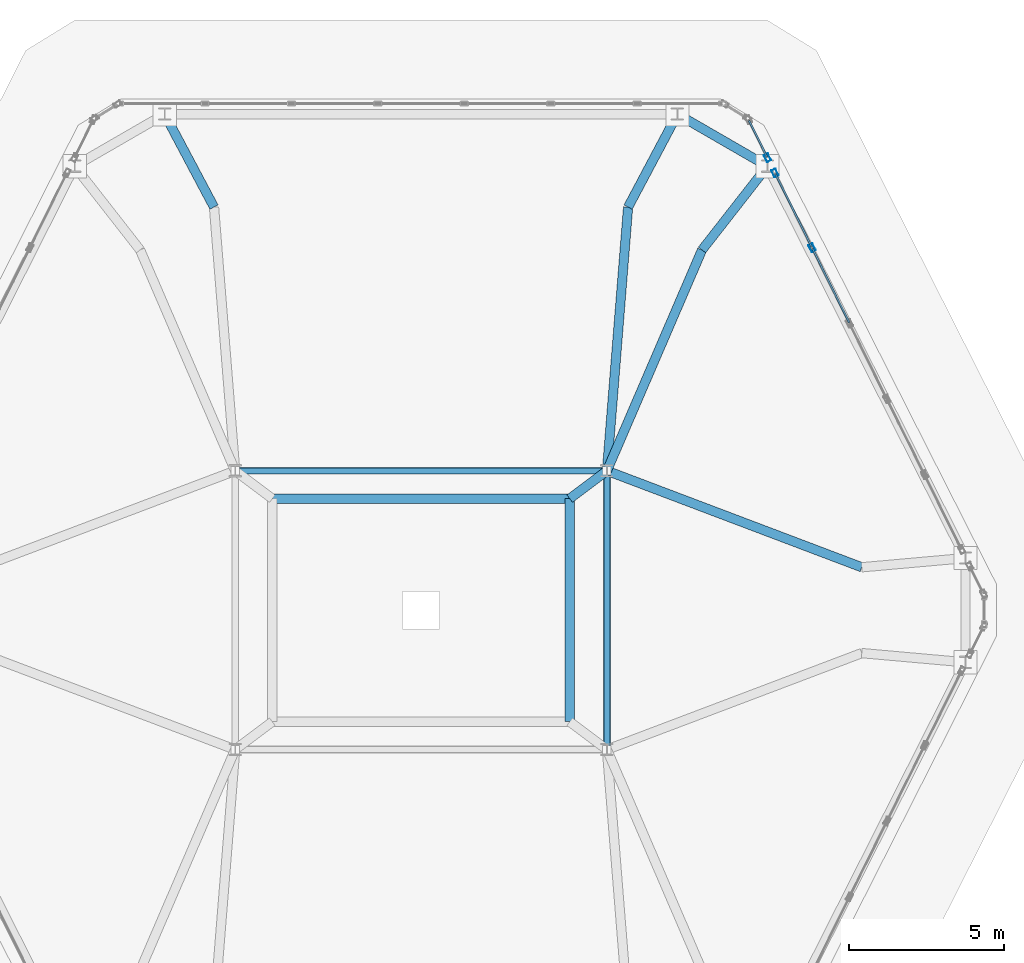
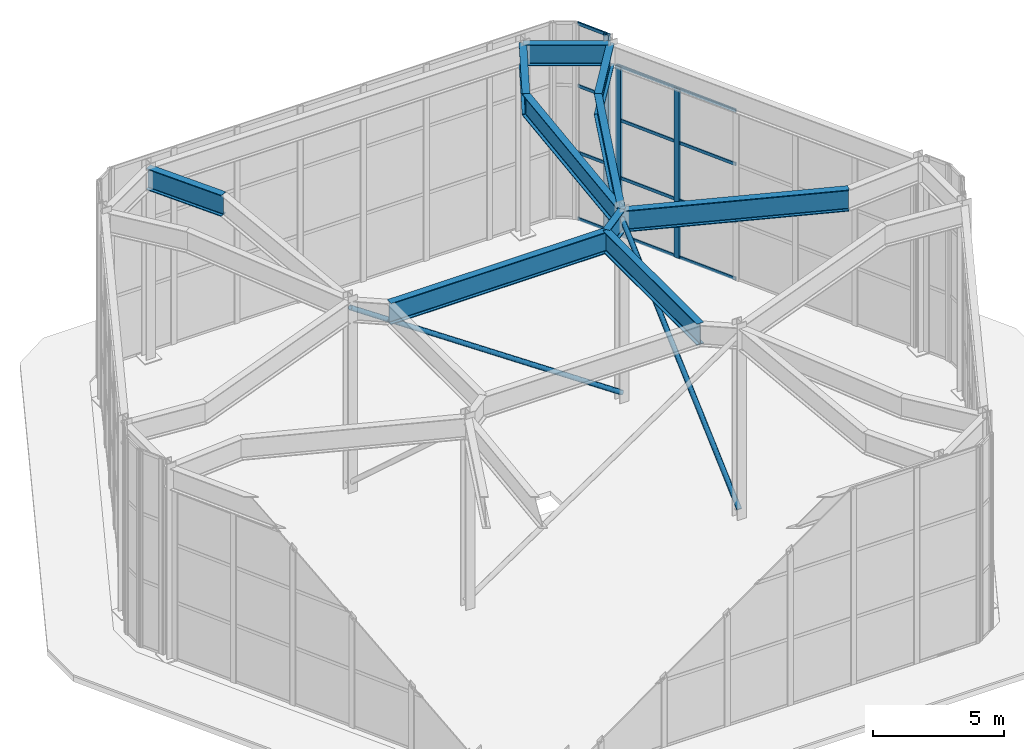
# One storey, part 6 of 12: 17 members, 10 beams, 2 elements without a shape of their own.
"""IFC4 building model written with IfcOpenShell, lengths in metres."""

import ifcopenshell
import ifcopenshell.guid

model = None  # the IFC model being written
_history = None  # IfcOwnerHistory: only IFC2X3 demands one
_inside = {}  # id of a spatial element -> (the spatial element, [elements in it])
_under = {}  # id of a project, library or spatial element -> (it, [spatial elements below it])
_declared = {}  # id of a project -> (the project, [libraries it declares])
_typed = {}  # id of a type object -> (the type object, [elements of that type])
_made_of = {}  # id of a material, layer set ... -> (it, [elements and type objects made of it])


def new_model(schema):
    """Start an empty IFC model of exactly this schema.

    Asked for "IFC4X3", IfcOpenShell would pick the latest addendum, in which some entities
    have other attributes; the version numbers below select the first issue.
    IFC2X3 requires an IfcOwnerHistory on every rooted entity: one is made here for all.
    """
    global model, _history
    if schema == "IFC4X3":
        model = ifcopenshell.file(schema_version=(4, 3, 0, 0))
    else:
        model = ifcopenshell.file(schema=schema)
    _inside.clear()
    _under.clear()
    _declared.clear()
    _typed.clear()
    _made_of.clear()
    _history = None
    if model.schema == "IFC2X3":
        org = make("IfcOrganization", Name="unknown")
        user = make(
            "IfcPersonAndOrganization",
            ThePerson=make("IfcPerson", FamilyName="unknown"),
            TheOrganization=org,
        )
        app = make(
            "IfcApplication",
            ApplicationDeveloper=org,
            Version="unknown",
            ApplicationFullName="unknown",
            ApplicationIdentifier="unknown",
        )
        _history = make(
            "IfcOwnerHistory",
            OwningUser=user,
            OwningApplication=app,
            ChangeAction="ADDED",
            CreationDate=0,
        )
    return model


def make(cls, **values):
    """One entity of the class cls with the attributes given. An attribute that is None is left unset."""
    return model.create_entity(
        cls, **{name: value for name, value in values.items() if value is not None}
    )


def rooted(cls, **values):
    """An entity with a GlobalId (a new one), such as an element, a storey or a relation."""
    return make(cls, GlobalId=ifcopenshell.guid.new(), OwnerHistory=_history, **values)


def si_unit(unit_type, name, prefix=None):
    """IfcSIUnit, for example si_unit("LENGTHUNIT", "METRE", prefix="MILLI")."""
    return make("IfcSIUnit", UnitType=unit_type, Prefix=prefix, Name=name)


def assignment(units):
    """IfcUnitAssignment: the units of a project."""
    return None if units is None else make("IfcUnitAssignment", Units=units)


def point(xyz):
    """IfcCartesianPoint."""
    return None if xyz is None else make("IfcCartesianPoint", Coordinates=xyz)


def direction(xyz):
    """IfcDirection."""
    return None if xyz is None else make("IfcDirection", DirectionRatios=xyz)


def frame(location, z_axis=None, x_axis=None):
    """IfcAxis2Placement3D, a coordinate frame: its origin and axes. An axis left out is left unset."""
    return make(
        "IfcAxis2Placement3D",
        Location=point(location),
        Axis=direction(z_axis),
        RefDirection=direction(x_axis),
    )


def frame_2d(location, x_axis=None):
    """IfcAxis2Placement2D, a coordinate frame in the plane: its origin and x axis."""
    return make(
        "IfcAxis2Placement2D", Location=point(location), RefDirection=direction(x_axis)
    )


def origin():
    """The frame at (0, 0, 0) with its axes left unset."""
    return frame((0.0, 0.0, 0.0))


def origin_2d():
    """The frame at (0, 0) in the plane with its x axis left unset."""
    return frame_2d((0.0, 0.0))


def place(relative_to, where):
    """IfcLocalPlacement: puts the frame where relative to a parent placement (None: the world)."""
    return make(
        "IfcLocalPlacement", PlacementRelTo=relative_to, RelativePlacement=where
    )


def context(
    kind, dimensions, precision=None, world=None, true_north=None, identifier=None
):
    """IfcGeometricRepresentationContext, for example the 3D "Model" context."""
    return make(
        "IfcGeometricRepresentationContext",
        ContextIdentifier=identifier,
        ContextType=kind,
        CoordinateSpaceDimension=dimensions,
        Precision=precision,
        WorldCoordinateSystem=world,
        TrueNorth=true_north,
    )


def subcontext(parent, identifier, kind, view, scale=None):
    """IfcGeometricRepresentationSubContext, for example "Body" below "Model"."""
    return make(
        "IfcGeometricRepresentationSubContext",
        ContextIdentifier=identifier,
        ContextType=kind,
        ParentContext=parent,
        TargetScale=scale,
        TargetView=view,
    )


def project(units=None, contexts=None):
    """IfcProject with its units and contexts."""
    return rooted(
        "IfcProject",
        Name="project",
        RepresentationContexts=contexts,
        UnitsInContext=assignment(units),
    )


def spatial(cls, under=None, at=None, **own):
    """A site, building, storey or space (cls), placed at a placement, below another one or the project."""
    s = rooted(cls, ObjectPlacement=at, **own)
    if under is not None:
        _under.setdefault(under.id(), (under, []))[1].append(s)
    return s


def profile(cls, at=None, kind="AREA", **sizes):
    """A parametric profile (cls). Its sizes go by their IFC names, for example OverallWidth=200.0."""
    return make(cls, ProfileType=kind, Position=at, **sizes)


def hollow_rectangle(**sizes):
    """IfcRectangleHollowProfileDef."""
    return profile("IfcRectangleHollowProfileDef", **sizes)


def hollow_circle(**sizes):
    """IfcCircleHollowProfileDef."""
    return profile("IfcCircleHollowProfileDef", **sizes)


def i_section(**sizes):
    """IfcIShapeProfileDef."""
    return profile("IfcIShapeProfileDef", **sizes)


def extrude(swept, where, along, depth):
    """IfcExtrudedAreaSolid: the profile swept, set in the frame where, extruded along a direction by depth."""
    return make(
        "IfcExtrudedAreaSolid",
        SweptArea=swept,
        Position=where,
        ExtrudedDirection=direction(along),
        Depth=depth,
    )


def shape(context_of_items, identifier, shape_type, items):
    """IfcShapeRepresentation: the items that make up one representation, for example the "Body"."""
    return make(
        "IfcShapeRepresentation",
        ContextOfItems=context_of_items,
        RepresentationIdentifier=identifier,
        RepresentationType=shape_type,
        Items=items,
    )


def material(Name=None, Category=None):
    """IfcMaterial."""
    return make("IfcMaterial", Name=Name, Category=Category)


def layer(
    of_material, thickness, ventilated=None, Name=None, Category=None, Priority=None
):
    """IfcMaterialLayer: one layer of a wall or slab, of a material (None: an air gap)."""
    return make(
        "IfcMaterialLayer",
        Material=of_material,
        LayerThickness=thickness,
        IsVentilated=ventilated,
        Name=Name,
        Category=Category,
        Priority=Priority,
    )


def layer_set(layers, Name=None):
    """IfcMaterialLayerSet."""
    return make("IfcMaterialLayerSet", MaterialLayers=layers, LayerSetName=Name)


def material_profile(
    of_material, cross_section, Name=None, Category=None, Priority=None
):
    """IfcMaterialProfile: a cross section and its material."""
    return make(
        "IfcMaterialProfile",
        Name=Name,
        Material=of_material,
        Profile=cross_section,
        Priority=Priority,
        Category=Category,
    )


def profile_set(profiles, Name=None, composite=None):
    """IfcMaterialProfileSet."""
    return make(
        "IfcMaterialProfileSet",
        Name=Name,
        MaterialProfiles=profiles,
        CompositeProfile=composite,
    )


def made_of(thing, what):
    """Note that an element or type object is made of a material, layer set ...; save() writes the relation."""
    if what is not None:
        _made_of.setdefault(what.id(), (what, []))[1].append(thing)
    return thing


def type_object(cls, material=None, **own):
    """A type object (cls), such as IfcWallType, which elements share."""
    return made_of(rooted(cls, **own), material)


def element(
    cls,
    number,
    at=None,
    inside=None,
    cuts=None,
    type_object=None,
    material=None,
    context=None,
    identifier="Body",
    shape_type=None,
    held_by="IfcProductDefinitionShape",
    body=None,
    shapes=None,
    **own,
):
    """One element of the class cls, such as IfcWall. Its Tag is "e" and its number.

    at: its placement. inside: the storey or other place that contains it. cuts: it is an
    opening in that element (IfcRelVoidsElement). A single representation is given by context,
    identifier, shape_type and body (its items); several are given by shapes. held_by: the class
    of the entity that holds the representations. save() writes the other relations.
    """
    e = rooted(cls, Tag="e%d" % number, ObjectPlacement=at, **own)
    if body is not None:
        shapes = [shape(context, identifier, shape_type, body)]
    if shapes is not None:
        e.Representation = make(held_by, Representations=shapes)
    if inside is not None:
        _inside.setdefault(inside.id(), (inside, []))[1].append(e)
    if cuts is not None:
        rooted(
            "IfcRelVoidsElement", RelatingBuildingElement=cuts, RelatedOpeningElement=e
        )
    if type_object is not None:
        _typed.setdefault(type_object.id(), (type_object, []))[1].append(e)
    return made_of(e, material)


def aggregate(whole, parts):
    """IfcRelAggregates: a whole, such as a stair, and the parts it consists of."""
    return rooted("IfcRelAggregates", RelatingObject=whole, RelatedObjects=parts)


def save(model, path):
    """Write the relations noted so far, then the file.

    IfcRelAggregates (storeys below a building ...), IfcRelContainedInSpatialStructure (elements
    in a storey), IfcRelDefinesByType, IfcRelAssociatesMaterial and IfcRelDeclares: one each for
    every whole, place, type object, material and project.
    """
    for whole, parts in _under.values():
        aggregate(whole, parts)
    for where, things in _inside.values():
        rooted(
            "IfcRelContainedInSpatialStructure",
            RelatedElements=things,
            RelatingStructure=where,
        )
    for kind, things in _typed.values():
        rooted("IfcRelDefinesByType", RelatedObjects=things, RelatingType=kind)
    for what, things in _made_of.values():
        rooted("IfcRelAssociatesMaterial", RelatedObjects=things, RelatingMaterial=what)
    for by, libraries in _declared.values():
        rooted("IfcRelDeclares", RelatingContext=by, RelatedDefinitions=libraries)
    model.write(path)


model = new_model("IFC4")

# Units and contexts
model_context = context("Model", 3, precision=1e-05, world=origin(), true_north=direction((0.0, 1.0)))
body_context = subcontext(model_context, "Body", "Model", "MODEL_VIEW")
ifc_project = project(units=[si_unit("LENGTHUNIT", "METRE"), si_unit("AREAUNIT", "SQUARE_METRE"), si_unit("VOLUMEUNIT", "CUBIC_METRE"), si_unit("PLANEANGLEUNIT", "RADIAN"), si_unit("MASSUNIT", "GRAM", prefix="KILO")], contexts=[model_context])

# Site, building, storey
site_placement = place(None, origin())
site = spatial("IfcSite", under=ifc_project, at=site_placement, CompositionType="ELEMENT")
building_placement = place(site_placement, origin())
building = spatial("IfcBuilding", under=site, at=building_placement, Name="Cinnabar Lancet Tower", CompositionType="ELEMENT")
storey_placement = place(building_placement, frame((0.0, 0.0, 305.5)))
storey = spatial("IfcBuildingStorey", under=building, at=storey_placement, Name="L80", CompositionType="ELEMENT", Elevation=305.5)

# Curtain wall, members
ifc_material_1 = material(Name="Thermally broken bronze-anodized aluminium and low-E glass", Category="aluminium")
ifc_layer = layer(ifc_material_1, 0.179931640625)
ifc_layer_set = layer_set([ifc_layer], Name="Thermally broken bronze-anodized aluminium and low-E glass")
curtain_wall_type = type_object("IfcCurtainWallType", Name="ENV-CW-SYS-05", PredefinedType="NOTDEFINED", material=ifc_layer_set)
curtain_wall_1_placement = place(storey_placement, origin())
curtain_wall_1 = element("IfcCurtainWall", 1, at=curtain_wall_1_placement, inside=storey, type_object=curtain_wall_type, Name="L80 Faceted Lancet Crown Curtain Wall 9", PredefinedType="NOTDEFINED")
ifc_material_2 = material(Name="Anodized architectural aluminium 6063-T6", Category="aluminium")
ifc_material_profile_1 = material_profile(ifc_material_2, hollow_rectangle(XDim=0.14990234375, YDim=0.25, WallThickness=0.010009765625, InnerFilletRadius=0.0048828125, OuterFilletRadius=0.014892578125, at=origin_2d()), Name="RHS 250x150x10")
ifc_profile_set_1 = profile_set([ifc_material_profile_1], Name="Anodized architectural aluminium 6063-T6")
member_type_1 = type_object("IfcMemberType", Name="ENV-CW-MUL-260", PredefinedType="MULLION", material=ifc_profile_set_1)
member_1_placement = place(storey_placement, frame((45.02197265625, 37.498291015625, 0.0), z_axis=(0.0, 0.0, 1.0), x_axis=(-0.8959477521, -0.44415945955, 0.0)))
member_1 = element("IfcMember", 2, at=member_1_placement, type_object=member_type_1, Name="CW-05 mullion 5", PredefinedType="MULLION", context=body_context, shape_type="SweptSolid", body=[
    extrude(hollow_rectangle(XDim=0.14990234375, YDim=0.25, WallThickness=0.010009765625, InnerFilletRadius=0.0048828125, OuterFilletRadius=0.014892578125, at=origin_2d()), origin(), (0.0, 0.0, 1.0), 7.9150390625),
])
member_2_placement = place(storey_placement, frame((43.82421875, 39.9140625, 0.0), z_axis=(0.0, 0.0, 1.0), x_axis=(-0.8959477521, -0.44415945955, 0.0)))
member_2 = element("IfcMember", 3, at=member_2_placement, type_object=member_type_1, Name="CW-05 mullion 6", PredefinedType="MULLION", context=body_context, shape_type="SweptSolid", body=[
    extrude(hollow_rectangle(XDim=0.14990234375, YDim=0.25, WallThickness=0.010009765625, InnerFilletRadius=0.0048828125, OuterFilletRadius=0.014892578125, at=origin_2d()), origin(), (0.0, 0.0, 1.0), 7.9150390625),
])

# Curtain wall, member
curtain_wall_2_placement = place(storey_placement, origin())
curtain_wall_2 = element("IfcCurtainWall", 4, at=curtain_wall_2_placement, inside=storey, type_object=curtain_wall_type, Name="L80 Faceted Lancet Crown Curtain Wall 10", PredefinedType="NOTDEFINED")
member_3_placement = place(storey_placement, frame((43.582763671875, 40.40185546875, 0.0), z_axis=(0.0, 0.0, 1.0), x_axis=(-0.895820359373, -0.444416340533, 0.0)))
member_3 = element("IfcMember", 5, at=member_3_placement, type_object=member_type_1, Name="CW-05 mullion 1", PredefinedType="MULLION", context=body_context, shape_type="SweptSolid", body=[
    extrude(hollow_rectangle(XDim=0.14990234375, YDim=0.25, WallThickness=0.010009765625, InnerFilletRadius=0.0048828125, OuterFilletRadius=0.014892578125, at=origin_2d()), origin(), (0.0, 0.0, 1.0), 9.175048828125),
])

# Member
ifc_material_3 = material(Name="Anodized architectural aluminium 6063-T6", Category="aluminium")
ifc_material_profile_2 = material_profile(ifc_material_3, hollow_rectangle(XDim=0.06494140625, YDim=0.14990234375, WallThickness=0.00390625, InnerFilletRadius=0.001953125, OuterFilletRadius=0.006103515625, at=origin_2d()), Name="CW-TRN 150x65x4")
ifc_profile_set_2 = profile_set([ifc_material_profile_2], Name="Anodized architectural aluminium 6063-T6")
member_type_2 = type_object("IfcMemberType", Name="ENV-CW-TRN-160", PredefinedType="USERDEFINED", material=ifc_profile_set_2)
member_4_placement = place(storey_placement, frame((46.2197265625, 35.082275390625, 0.030029296875), z_axis=(-0.44413469279, 0.895960029611, 0.0), x_axis=(-0.895960029611, -0.44413469279, 0.0)))
member_4 = element("IfcMember", 6, at=member_4_placement, type_object=member_type_2, Name="CW-05 transom 4.1", ObjectType="TRANSOM", PredefinedType="USERDEFINED", context=body_context, shape_type="SweptSolid", body=[
    extrude(hollow_rectangle(XDim=0.06494140625, YDim=0.14990234375, WallThickness=0.00390625, InnerFilletRadius=0.001953125, OuterFilletRadius=0.006103515625, at=origin_2d()), origin(), (0.0, 0.0, 1.0), 2.66650390625),
])

member_5_placement = place(storey_placement, frame((46.2197265625, 35.082275390625, 2.69091796875), z_axis=(-0.44413469279, 0.895960029611, 0.0), x_axis=(-0.895960029611, -0.44413469279, 0.0)))
member_5 = element("IfcMember", 7, at=member_5_placement, type_object=member_type_2, Name="CW-05 transom 4.2", ObjectType="TRANSOM", PredefinedType="USERDEFINED", context=body_context, shape_type="SweptSolid", body=[
    extrude(hollow_rectangle(XDim=0.06494140625, YDim=0.14990234375, WallThickness=0.00390625, InnerFilletRadius=0.001953125, OuterFilletRadius=0.006103515625, at=origin_2d()), origin(), (0.0, 0.0, 1.0), 2.66650390625),
])

member_6_placement = place(storey_placement, frame((46.2197265625, 35.082275390625, 5.382080078125), z_axis=(-0.44413469279, 0.895960029611, 0.0), x_axis=(-0.895960029611, -0.44413469279, 0.0)))
member_6 = element("IfcMember", 8, at=member_6_placement, type_object=member_type_2, Name="CW-05 transom 4.3", ObjectType="TRANSOM", PredefinedType="USERDEFINED", context=body_context, shape_type="SweptSolid", body=[
    extrude(hollow_rectangle(XDim=0.06494140625, YDim=0.14990234375, WallThickness=0.00390625, InnerFilletRadius=0.001953125, OuterFilletRadius=0.006103515625, at=origin_2d()), origin(), (0.0, 0.0, 1.0), 2.66650390625),
])

member_7_placement = place(storey_placement, frame((46.2197265625, 35.082275390625, 7.885009765625), z_axis=(-0.44413469279, 0.895960029611, 0.0), x_axis=(-0.895960029611, -0.44413469279, 0.0)))
member_7 = element("IfcMember", 9, at=member_7_placement, type_object=member_type_2, Name="CW-05 transom 4.4", ObjectType="TRANSOM", PredefinedType="USERDEFINED", context=body_context, shape_type="SweptSolid", body=[
    extrude(hollow_rectangle(XDim=0.06494140625, YDim=0.14990234375, WallThickness=0.00390625, InnerFilletRadius=0.001953125, OuterFilletRadius=0.006103515625, at=origin_2d()), origin(), (0.0, 0.0, 1.0), 2.66650390625),
])

member_8_placement = place(storey_placement, frame((45.0087890625, 37.525146484375, 0.030029296875), z_axis=(-0.444210781456, 0.895922307814, 0.0), x_axis=(-0.895922307814, -0.444210781456, 0.0)))
member_8 = element("IfcMember", 10, at=member_8_placement, type_object=member_type_2, Name="CW-05 transom 5.1", ObjectType="TRANSOM", PredefinedType="USERDEFINED", context=body_context, shape_type="SweptSolid", body=[
    extrude(hollow_rectangle(XDim=0.06494140625, YDim=0.14990234375, WallThickness=0.00390625, InnerFilletRadius=0.001953125, OuterFilletRadius=0.006103515625, at=origin_2d()), origin(), (0.0, 0.0, 1.0), 2.636474609375),
])

member_9_placement = place(storey_placement, frame((45.0087890625, 37.525146484375, 2.69091796875), z_axis=(-0.444210781456, 0.895922307814, 0.0), x_axis=(-0.895922307814, -0.444210781456, 0.0)))
member_9 = element("IfcMember", 11, at=member_9_placement, type_object=member_type_2, Name="CW-05 transom 5.2", ObjectType="TRANSOM", PredefinedType="USERDEFINED", context=body_context, shape_type="SweptSolid", body=[
    extrude(hollow_rectangle(XDim=0.06494140625, YDim=0.14990234375, WallThickness=0.00390625, InnerFilletRadius=0.001953125, OuterFilletRadius=0.006103515625, at=origin_2d()), origin(), (0.0, 0.0, 1.0), 2.636474609375),
])

member_10_placement = place(storey_placement, frame((45.0087890625, 37.525146484375, 5.382080078125), z_axis=(-0.444210781456, 0.895922307814, 0.0), x_axis=(-0.895922307814, -0.444210781456, 0.0)))
member_10 = element("IfcMember", 12, at=member_10_placement, type_object=member_type_2, Name="CW-05 transom 5.3", ObjectType="TRANSOM", PredefinedType="USERDEFINED", context=body_context, shape_type="SweptSolid", body=[
    extrude(hollow_rectangle(XDim=0.06494140625, YDim=0.14990234375, WallThickness=0.00390625, InnerFilletRadius=0.001953125, OuterFilletRadius=0.006103515625, at=origin_2d()), origin(), (0.0, 0.0, 1.0), 2.636474609375),
])

member_11_placement = place(storey_placement, frame((45.0087890625, 37.525146484375, 7.885009765625), z_axis=(-0.444210781456, 0.895922307814, 0.0), x_axis=(-0.895922307814, -0.444210781456, 0.0)))
member_11 = element("IfcMember", 13, at=member_11_placement, type_object=member_type_2, Name="CW-05 transom 5.4", ObjectType="TRANSOM", PredefinedType="USERDEFINED", context=body_context, shape_type="SweptSolid", body=[
    extrude(hollow_rectangle(XDim=0.06494140625, YDim=0.14990234375, WallThickness=0.00390625, InnerFilletRadius=0.001953125, OuterFilletRadius=0.006103515625, at=origin_2d()), origin(), (0.0, 0.0, 1.0), 2.636474609375),
])

aggregate(curtain_wall_1, [member_1, member_2, member_4, member_5, member_6, member_7, member_8, member_9, member_10, member_11])

member_12_placement = place(storey_placement, frame((43.5693359375, 40.4287109375, 0.030029296875), z_axis=(-0.444455735603, 0.895800814406, 0.0), x_axis=(-0.895800814406, -0.444455735603, 0.0)))
member_12 = element("IfcMember", 14, at=member_12_placement, type_object=member_type_2, Name="CW-05 transom 1.1", ObjectType="TRANSOM", PredefinedType="USERDEFINED", context=body_context, shape_type="SweptSolid", body=[
    extrude(hollow_rectangle(XDim=0.06494140625, YDim=0.14990234375, WallThickness=0.00390625, InnerFilletRadius=0.001953125, OuterFilletRadius=0.006103515625, at=origin_2d()), origin(), (0.0, 0.0, 1.0), 1.311279296875),
])

member_13_placement = place(storey_placement, frame((43.5693359375, 40.4287109375, 3.1201171875), z_axis=(-0.444455735603, 0.895800814406, 0.0), x_axis=(-0.895800814406, -0.444455735603, 0.0)))
member_13 = element("IfcMember", 15, at=member_13_placement, type_object=member_type_2, Name="CW-05 transom 1.2", ObjectType="TRANSOM", PredefinedType="USERDEFINED", context=body_context, shape_type="SweptSolid", body=[
    extrude(hollow_rectangle(XDim=0.06494140625, YDim=0.14990234375, WallThickness=0.00390625, InnerFilletRadius=0.001953125, OuterFilletRadius=0.006103515625, at=origin_2d()), origin(), (0.0, 0.0, 1.0), 1.311279296875),
])

member_14_placement = place(storey_placement, frame((43.5693359375, 40.4287109375, 6.239013671875), z_axis=(-0.444455735603, 0.895800814406, 0.0), x_axis=(-0.895800814406, -0.444455735603, 0.0)))
member_14 = element("IfcMember", 16, at=member_14_placement, type_object=member_type_2, Name="CW-05 transom 1.3", ObjectType="TRANSOM", PredefinedType="USERDEFINED", context=body_context, shape_type="SweptSolid", body=[
    extrude(hollow_rectangle(XDim=0.06494140625, YDim=0.14990234375, WallThickness=0.00390625, InnerFilletRadius=0.001953125, OuterFilletRadius=0.006103515625, at=origin_2d()), origin(), (0.0, 0.0, 1.0), 1.311279296875),
])

member_15_placement = place(storey_placement, frame((43.5693359375, 40.4287109375, 9.14501953125), z_axis=(-0.444455735603, 0.895800814406, 0.0), x_axis=(-0.895800814406, -0.444455735603, 0.0)))
member_15 = element("IfcMember", 17, at=member_15_placement, type_object=member_type_2, Name="CW-05 transom 1.4", ObjectType="TRANSOM", PredefinedType="USERDEFINED", context=body_context, shape_type="SweptSolid", body=[
    extrude(hollow_rectangle(XDim=0.06494140625, YDim=0.14990234375, WallThickness=0.00390625, InnerFilletRadius=0.001953125, OuterFilletRadius=0.006103515625, at=origin_2d()), origin(), (0.0, 0.0, 1.0), 1.311279296875),
])

aggregate(curtain_wall_2, [member_3, member_12, member_13, member_14, member_15])

# Beams
ifc_material_4 = material(Name="Structural steel S460", Category="steel")
ifc_material_profile_3 = material_profile(ifc_material_4, i_section(OverallWidth=0.300048828125, OverallDepth=1.0, WebThickness=0.01904296875, FlangeThickness=0.035888671875, FilletRadius=0.030029296875, at=origin_2d()), Name="UKB 1016x305x314")
ifc_profile_set_3 = profile_set([ifc_material_profile_3], Name="Structural steel S460")
beam_type = type_object("IfcBeamType", Name="STR-BM-UKB1016-314", PredefinedType="BEAM", material=ifc_profile_set_3)
beam_1_placement = place(storey_placement, frame((43.5810546875, 40.131103515625, 8.425048828125), z_axis=(-0.865748126485, 0.500479951134, 0.0), x_axis=(-0.500479951134, -0.865748126485, 0.0)))
element("IfcBeam", 18, at=beam_1_placement, inside=storey, type_object=beam_type, Name="L81 Setback Outer Ring Girder 6", PredefinedType="BEAM", context=body_context, shape_type="SweptSolid", body=[
    extrude(i_section(OverallWidth=0.300048828125, OverallDepth=1.0, WebThickness=0.01904296875, FlangeThickness=0.035888671875, FilletRadius=0.030029296875, at=origin_2d()), origin(), (0.0, 0.0, 1.0), 3.356689453125),
])
beam_2_placement = place(storey_placement, frame((46.6259765625, 27.18505859375, 8.425048828125), z_axis=(-0.935195103157, 0.354132911533, 0.0), x_axis=(-0.354132911533, -0.935195103157, 0.0)))
element("IfcBeam", 19, at=beam_2_placement, inside=storey, type_object=beam_type, Name="L81 Crown Setback Radial Girder 5", PredefinedType="BEAM", context=body_context, shape_type="SweptSolid", body=[
    extrude(i_section(OverallWidth=0.300048828125, OverallDepth=1.0, WebThickness=0.01904296875, FlangeThickness=0.035888671875, FilletRadius=0.030029296875, at=origin_2d()), origin(), (0.0, 0.0, 1.0), 8.796142578125),
])
beam_3_placement = place(storey_placement, frame((43.5810546875, 40.131103515625, 8.425048828125), z_axis=(-0.615688236076, -0.787989845085, 0.0), x_axis=(0.787989845085, -0.615688236076, 0.0)))
element("IfcBeam", 20, at=beam_3_placement, inside=storey, type_object=beam_type, Name="L81 Crown Setback Strut Girder 6", PredefinedType="BEAM", context=body_context, shape_type="SweptSolid", body=[
    extrude(i_section(OverallWidth=0.300048828125, OverallDepth=1.0, WebThickness=0.01904296875, FlangeThickness=0.035888671875, FilletRadius=0.030029296875, at=origin_2d()), origin(), (0.0, 0.0, 1.0), 3.430419921875),
])
beam_4_placement = place(storey_placement, frame((41.468994140625, 37.427978515625, 8.425048828125), z_axis=(-0.395471619796, -0.918478196767, 0.0), x_axis=(0.918478196767, -0.395471619796, 0.0)))
element("IfcBeam", 21, at=beam_4_placement, inside=storey, type_object=beam_type, Name="L81 Crown Setback Radial Girder 6", PredefinedType="BEAM", context=body_context, shape_type="SweptSolid", body=[
    extrude(i_section(OverallWidth=0.300048828125, OverallDepth=1.0, WebThickness=0.01904296875, FlangeThickness=0.035888671875, FilletRadius=0.030029296875, at=origin_2d()), origin(), (0.0, 0.0, 1.0), 7.760498046875),
])
beam_5_placement = place(storey_placement, frame((40.675048828125, 41.81103515625, 8.425048828125), z_axis=(-0.468762740644, -0.883324115478, 0.0), x_axis=(0.883324115478, -0.468762740644, 0.0)))
element("IfcBeam", 22, at=beam_5_placement, inside=storey, type_object=beam_type, Name="L81 Crown Setback Strut Girder 7", PredefinedType="BEAM", context=body_context, shape_type="SweptSolid", body=[
    extrude(i_section(OverallWidth=0.300048828125, OverallDepth=1.0, WebThickness=0.01904296875, FlangeThickness=0.035888671875, FilletRadius=0.030029296875, at=origin_2d()), origin(), (0.0, 0.0, 1.0), 3.396240234375),
])
beam_6_placement = place(storey_placement, frame((39.0830078125, 38.81103515625, 8.425048828125), z_axis=(-0.08000433307, -0.99679451578, 0.0), x_axis=(0.99679451578, -0.08000433307, 0.0)))
element("IfcBeam", 23, at=beam_6_placement, inside=storey, type_object=beam_type, Name="L81 Crown Setback Radial Girder 7", PredefinedType="BEAM", context=body_context, shape_type="SweptSolid", body=[
    extrude(i_section(OverallWidth=0.300048828125, OverallDepth=1.0, WebThickness=0.01904296875, FlangeThickness=0.035888671875, FilletRadius=0.030029296875, at=origin_2d()), origin(), (0.0, 0.0, 1.0), 8.538330078125),
])
beam_7_placement = place(storey_placement, frame((24.125, 41.81103515625, 8.425048828125), z_axis=(0.468762740644, -0.883324115478, 0.0), x_axis=(0.883324115478, 0.468762740644, 0.0)))
element("IfcBeam", 24, at=beam_7_placement, inside=storey, type_object=beam_type, Name="L81 Crown Setback Strut Girder 8", PredefinedType="BEAM", context=body_context, shape_type="SweptSolid", body=[
    extrude(i_section(OverallWidth=0.300048828125, OverallDepth=1.0, WebThickness=0.01904296875, FlangeThickness=0.035888671875, FilletRadius=0.030029296875, at=origin_2d()), origin(), (0.0, 0.0, 1.0), 3.396240234375),
])
beam_8_placement = place(storey_placement, frame((37.199951171875, 22.199951171875, 8.425048828125), z_axis=(0.0, 1.0, 0.0), x_axis=(-1.0, 0.0, 0.0)))
element("IfcBeam", 25, at=beam_8_placement, inside=storey, type_object=beam_type, Name="L81 Crown Inner Ring Tie 2", PredefinedType="BEAM", context=body_context, shape_type="SweptSolid", body=[
    extrude(i_section(OverallWidth=0.300048828125, OverallDepth=1.0, WebThickness=0.01904296875, FlangeThickness=0.035888671875, FilletRadius=0.030029296875, at=origin_2d()), origin(), (0.0, 0.0, 1.0), 7.199951171875),
])
beam_9_placement = place(storey_placement, frame((38.39990234375, 30.300048828125, 8.425048828125), z_axis=(-0.799941404343, -0.600078119596, 0.0), x_axis=(0.600078119596, -0.799941404343, 0.0)))
element("IfcBeam", 26, at=beam_9_placement, inside=storey, type_object=beam_type, Name="L81 Crown Inner Ring Transfer 3", PredefinedType="BEAM", context=body_context, shape_type="SweptSolid", body=[
    extrude(i_section(OverallWidth=0.300048828125, OverallDepth=1.0, WebThickness=0.01904296875, FlangeThickness=0.035888671875, FilletRadius=0.030029296875, at=origin_2d()), origin(), (0.0, 0.0, 1.0), 1.5),
])
beam_10_placement = place(storey_placement, frame((37.199951171875, 29.39990234375, 8.425048828125), z_axis=(-1.0, 0.0, 0.0), x_axis=(0.0, -1.0, 0.0)))
element("IfcBeam", 27, at=beam_10_placement, inside=storey, type_object=beam_type, Name="L81 Crown Inner Ring Tie 3", PredefinedType="BEAM", context=body_context, shape_type="SweptSolid", body=[
    extrude(i_section(OverallWidth=0.300048828125, OverallDepth=1.0, WebThickness=0.01904296875, FlangeThickness=0.035888671875, FilletRadius=0.030029296875, at=origin_2d()), origin(), (0.0, 0.0, 1.0), 9.599853515625),
])

# Members
ifc_material_5 = material(Name="Structural steel S460", Category="steel")
ifc_material_profile_4 = material_profile(ifc_material_5, hollow_circle(Radius=0.109619140625, WallThickness=0.010009765625, at=origin_2d()), Name="CHS 219.1x10")
ifc_profile_set_4 = profile_set([ifc_material_profile_4], Name="Structural steel S460")
member_type_3 = type_object("IfcMemberType", Name="STR-MEM-CRN-BRC219", PredefinedType="BRACE", material=ifc_profile_set_4)
member_16_placement = place(storey_placement, frame((38.39990234375, 21.300048828125, 0.35009765625), z_axis=(0.0, 0.740227121961, 0.672356905158), x_axis=(-1.0, 0.0, 0.0)))
element("IfcMember", 28, at=member_16_placement, inside=storey, type_object=member_type_3, Name="L80 Crown Lancet Core Brace 2", PredefinedType="BRACE", context=body_context, shape_type="SweptSolid", body=[
    extrude(hollow_circle(Radius=0.109619140625, WallThickness=0.010009765625, at=origin_2d()), origin(), (0.0, 0.0, 1.0), 12.158447265625),
])
member_17_placement = place(storey_placement, frame((38.39990234375, 30.300048828125, 0.35009765625), z_axis=(-0.8264520989, 0.0, 0.563007041007), x_axis=(0.0, -1.0, 0.0)))
element("IfcMember", 29, at=member_17_placement, inside=storey, type_object=member_type_3, Name="L80 Crown Lancet Core Brace 3", PredefinedType="BRACE", context=body_context, shape_type="SweptSolid", body=[
    extrude(hollow_circle(Radius=0.109619140625, WallThickness=0.010009765625, at=origin_2d()), origin(), (0.0, 0.0, 1.0), 14.52001953125),
])

save(model, "model.ifc")
